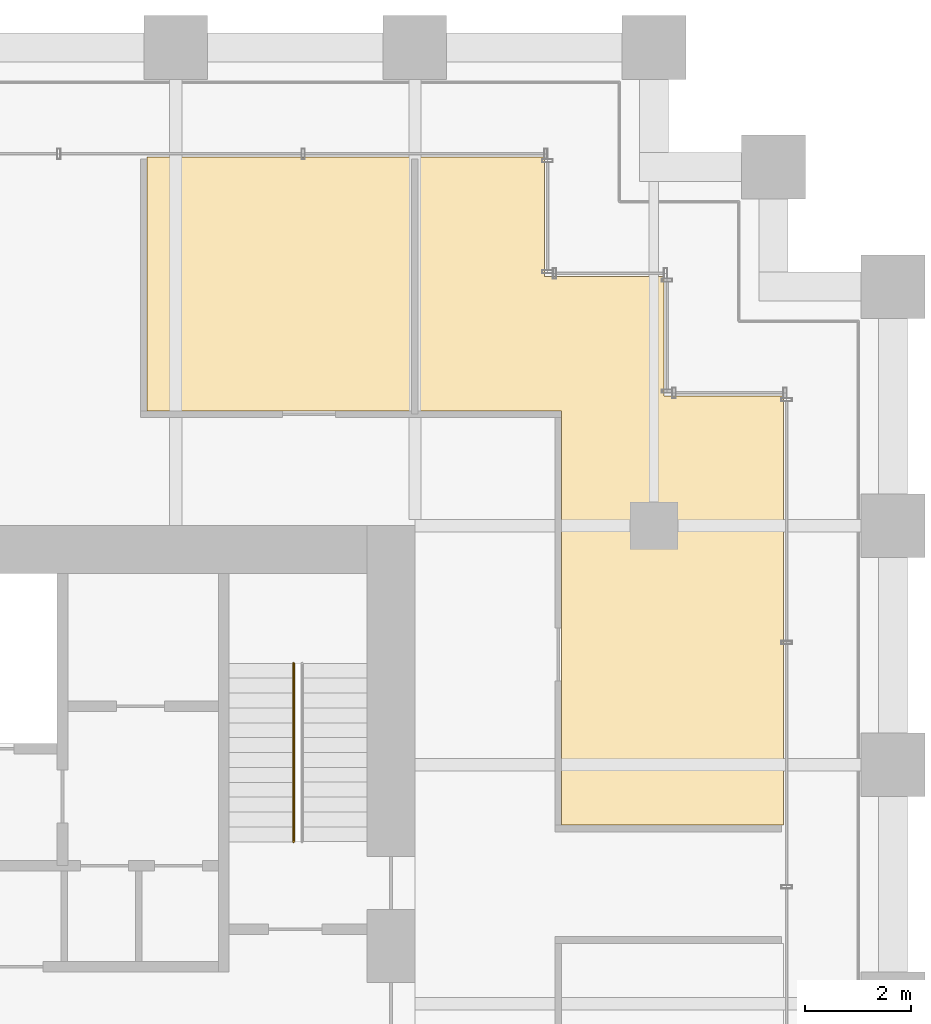
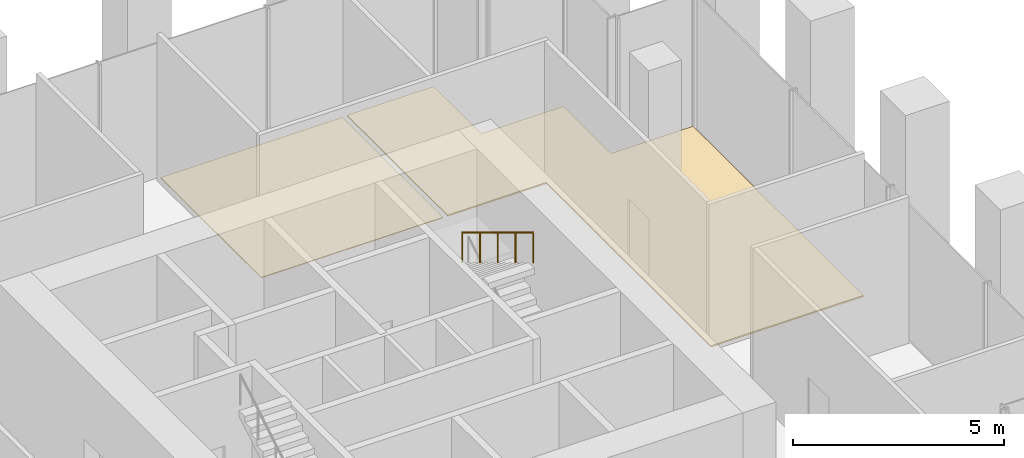
# One storey, part 36 of 36: 2 coverings, 1 railing.
"""IFC4 building model written with IfcOpenShell, lengths in metres."""

from ifc_helpers import new_model, si_unit, direction, frame, origin, origin_2d, place, context, subcontext, project, spatial, polyline, circle, outline, extrude, source, transform, mapped, material, layer, layer_set, type_object, element, save


model = new_model("IFC4")

# Units and contexts
model_context = context("Model", 3, precision=1e-05, world=origin(), true_north=direction((0.0, 1.0)))
body_context = subcontext(model_context, "Body", "Model", "MODEL_VIEW")
ifc_project = project(units=[si_unit("LENGTHUNIT", "METRE"), si_unit("AREAUNIT", "SQUARE_METRE"), si_unit("VOLUMEUNIT", "CUBIC_METRE"), si_unit("PLANEANGLEUNIT", "RADIAN"), si_unit("MASSUNIT", "GRAM", prefix="KILO")], contexts=[model_context])

# Site, building, storey
site_placement = place(None, origin())
site = spatial("IfcSite", under=ifc_project, at=site_placement, CompositionType="ELEMENT")
building_placement = place(site_placement, origin())
building = spatial("IfcBuilding", under=site, at=building_placement, Name="Altepetl Exchange Towers", CompositionType="ELEMENT")
storey_placement = place(building_placement, frame((0.0, 0.0, 43.0)))
storey = spatial("IfcBuildingStorey", under=building, at=storey_placement, Name="L09", CompositionType="ELEMENT", Elevation=43.0)

# Coverings
ifc_material_1 = material(Name="Carpet tile")
ifc_layer_1 = layer(ifc_material_1, 0.02001953125)
ifc_layer_set_1 = layer_set([ifc_layer_1], Name="Carpet tile")
covering_type_1 = type_object("IfcCoveringType", Name="Carpet tile floor", PredefinedType="FLOORING", material=ifc_layer_set_1)
covering_1_placement = place(storey_placement, origin())
element("IfcCovering", 1, at=covering_1_placement, inside=storey, type_object=covering_type_1, Name="Quiet room floor finish B09.06", PredefinedType="FLOORING", context=body_context, shape_type="SweptSolid", body=[
    extrude(outline(polyline([(111.96240234375, 51.66259765625), (116.9375, 51.66259765625), (116.9375, 56.4375), (111.96240234375, 56.4375), (111.96240234375, 51.66259765625)])), origin(), (0.0, 0.0, 1.0), 0.02001953125),
])
ifc_material_2 = material(Name="Calcium sulphate access floor panel")
ifc_layer_2 = layer(ifc_material_2, 0.0400390625)
ifc_layer_set_2 = layer_set([ifc_layer_2], Name="Calcium sulphate access floor panel")
covering_type_2 = type_object("IfcCoveringType", Name="Raised access floor panels", PredefinedType="FLOORING", material=ifc_layer_set_2)
covering_2_placement = place(storey_placement, origin())
element("IfcCovering", 2, at=covering_2_placement, inside=storey, type_object=covering_type_2, Name="Broker office floor finish B09.05", PredefinedType="FLOORING", context=body_context, shape_type="SweptSolid", body=[
    extrude(outline(polyline([(121.6875, 51.9375), (121.6875, 54.1875), (119.4375, 54.1875), (119.4375, 56.4375), (117.0625, 56.4375), (117.0625, 51.66259765625), (119.762451171875, 51.66259765625), (119.762451171875, 43.862548828125), (123.9375, 43.862548828125), (123.9375, 51.9375), (121.6875, 51.9375)])), origin(), (0.0, 0.0, 1.0), 0.0400390625),
])

# Railing
ifc_material_3 = material(Name="Steel", Category="steel")
railing_type = type_object("IfcRailingType", Name="Stair handrail 50 steel tube", PredefinedType="HANDRAIL", material=ifc_material_3)
shared_shape = source(origin(), body_context, "Body", "SweptSolid", [
    extrude(circle(Radius=0.02099609375, at=origin_2d()), origin(), (0.0, 0.0, 1.0), 0.851806640625),
])
railing_placement = place(storey_placement, frame((114.719970703125, 46.909912109375, 2.369140625)))
element("IfcRailing", 3, at=railing_placement, inside=storey, type_object=railing_type, Name="Stair handrail", PredefinedType="HANDRAIL", context=body_context, shape_type="SweptSolid", body=[
    extrude(circle(Radius=0.02392578125, at=origin_2d()), frame((0.0, 0.0, 0.8759765625), z_axis=(0.0, -0.855820338506, 0.51727318527), x_axis=(1.0, 0.0, 0.0)), (0.0, 0.0, 1.0), 3.92578125),
    mapped(shared_shape, transform((0.0, 0.0, 0.0))),
    mapped(shared_shape, transform((0.0, -0.83984375, 0.5078125))),
    mapped(shared_shape, transform((0.0, -1.679931640625, 1.015380859375))),
    mapped(shared_shape, transform((0.0, -2.52001953125, 1.52294921875))),
    mapped(shared_shape, transform((0.0, -3.35986328125, 2.03076171875))),
])

save(model, "model.ifc")
